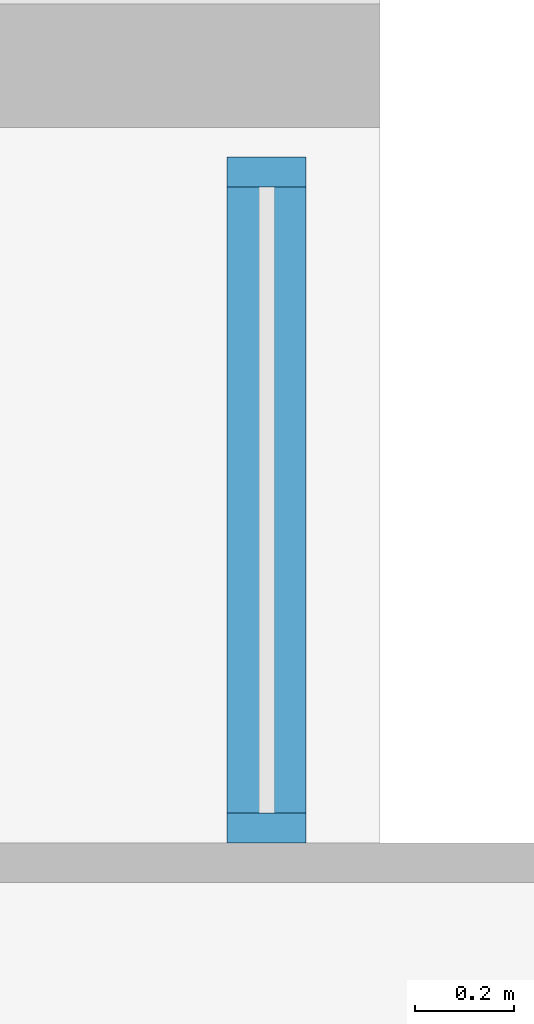
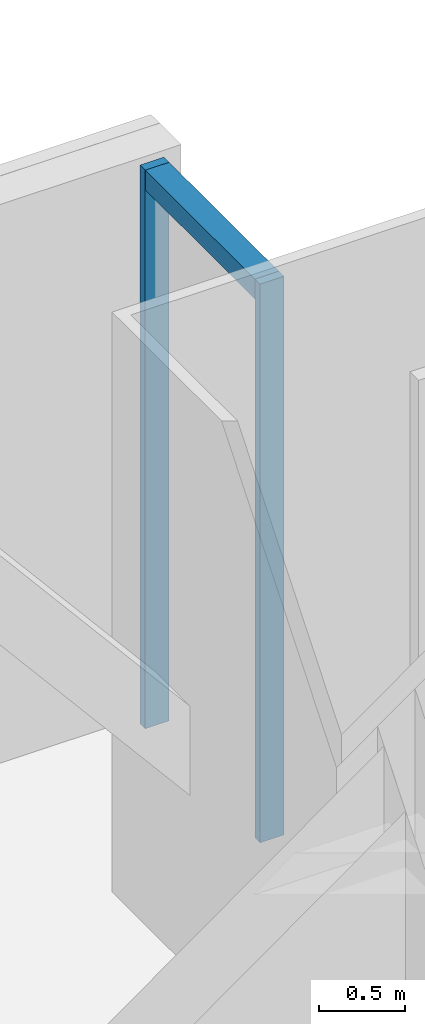
# One storey, part 15 of 23: 3 members, 1 element without a shape of its own.
"""IFC4 building model written with IfcOpenShell, lengths in metres."""

from ifc_helpers import new_model, si_unit, direction, frame, origin, origin_2d, place, context, subcontext, project, spatial, rectangle, extrude, material, material_profile, profile_set, type_object, element, aggregate, save


model = new_model("IFC4")

# Units and contexts
model_context = context("Model", 3, precision=1e-05, world=origin(), true_north=direction((0.0, 1.0)))
body_context = subcontext(model_context, "Body", "Model", "MODEL_VIEW")
ifc_project = project(units=[si_unit("LENGTHUNIT", "METRE"), si_unit("AREAUNIT", "SQUARE_METRE"), si_unit("VOLUMEUNIT", "CUBIC_METRE"), si_unit("PLANEANGLEUNIT", "RADIAN"), si_unit("MASSUNIT", "GRAM", prefix="KILO")], contexts=[model_context])

# Site, building, storey
site_placement = place(None, origin())
site = spatial("IfcSite", under=ifc_project, at=site_placement, CompositionType="ELEMENT")
building_placement = place(site_placement, origin())
building = spatial("IfcBuilding", under=site, at=building_placement, Name="Bicima Exchange Tower", CompositionType="ELEMENT")
storey_placement = place(building_placement, frame((0.0, 0.0, 152.699951171875)))
storey = spatial("IfcBuildingStorey", under=building, at=storey_placement, Name="L33", CompositionType="ELEMENT", Elevation=152.699951171875)

# Curtain wall, members
ifc_material = material(Name="Anodised bronze aluminium", Category="aluminium")
curtain_wall_type = type_object("IfcCurtainWallType", Name="Front glass wall", PredefinedType="NOTDEFINED", material=ifc_material)
curtain_wall_placement = place(storey_placement, origin())
curtain_wall = element("IfcCurtainWall", 1, at=curtain_wall_placement, inside=storey, type_object=curtain_wall_type, Name="Front glass wall L33 run 20", PredefinedType="NOTDEFINED")
ifc_material_profile_1 = material_profile(ifc_material, rectangle(XDim=0.159912109375, YDim=0.06005859375, at=origin_2d()))
ifc_profile_set_1 = profile_set([ifc_material_profile_1], Name="Anodised bronze aluminium")
member_type_1 = type_object("IfcMemberType", Name="Front glass wall mullion 60 x 160", PredefinedType="MULLION", material=ifc_profile_set_1)
member_1_placement = place(storey_placement, frame((32.77001953125, -1.669921875, 0.0), z_axis=(0.0, 0.0, 1.0), x_axis=(-1.0, 0.0, 0.0)))
member_1 = element("IfcMember", 2, at=member_1_placement, type_object=member_type_1, Name="Front glass wall mullion 1", PredefinedType="MULLION", context=body_context, shape_type="SweptSolid", body=[
    extrude(rectangle(XDim=0.159912109375, YDim=0.06005859375, at=origin_2d()), origin(), (0.0, 0.0, 1.0), 3.949951171875),
])
member_2_placement = place(storey_placement, frame((32.77001953125, -0.340087890625, 0.0), z_axis=(0.0, 0.0, 1.0), x_axis=(-1.0, 0.0, 0.0)))
member_2 = element("IfcMember", 3, at=member_2_placement, type_object=member_type_1, Name="Front glass wall mullion 2", PredefinedType="MULLION", context=body_context, shape_type="SweptSolid", body=[
    extrude(rectangle(XDim=0.159912109375, YDim=0.06005859375, at=origin_2d()), origin(), (0.0, 0.0, 1.0), 3.949951171875),
])
ifc_material_profile_2 = material_profile(ifc_material, rectangle(XDim=0.159912109375, YDim=0.139892578125, at=origin_2d()))
ifc_profile_set_2 = profile_set([ifc_material_profile_2], Name="Anodised bronze aluminium")
member_type_2 = type_object("IfcMemberType", Name="Front glass wall transom 140 x 160", PredefinedType="USERDEFINED", material=ifc_profile_set_2)
member_3_placement = place(storey_placement, frame((32.77001953125, -1.639892578125, 3.880126953125), z_axis=(0.0, 1.0, 0.0), x_axis=(-1.0, 0.0, 0.0)))
member_3 = element("IfcMember", 4, at=member_3_placement, type_object=member_type_2, Name="Front glass wall transom 1.1", ObjectType="TRANSOM", PredefinedType="USERDEFINED", context=body_context, shape_type="SweptSolid", body=[
    extrude(rectangle(XDim=0.159912109375, YDim=0.139892578125, at=origin_2d()), origin(), (0.0, 0.0, 1.0), 1.269775390625),
])
aggregate(curtain_wall, [member_1, member_2, member_3])

save(model, "model.ifc")
